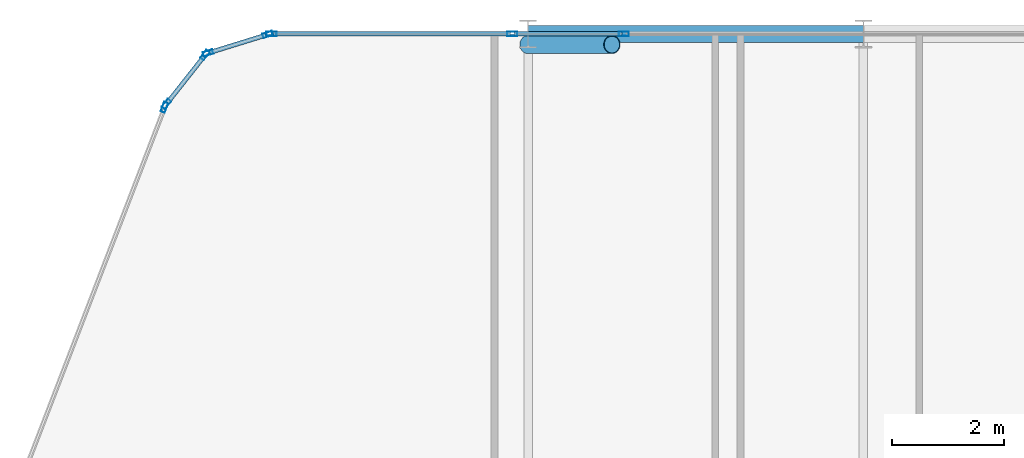
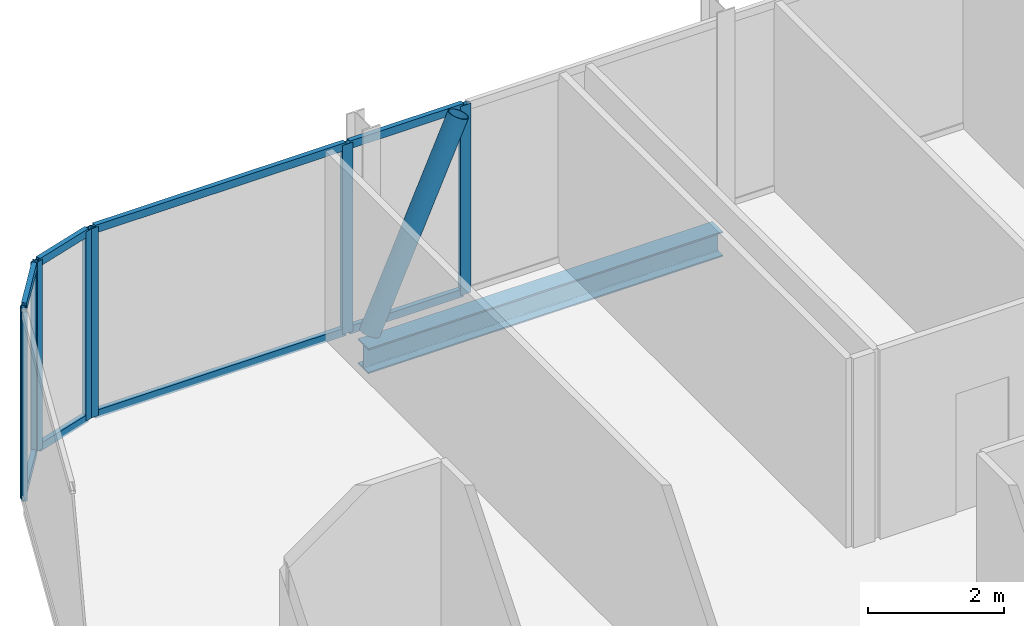
# One storey, part 17 of 32: 17 members, 1 beam, 5 elements without a shape of their own.
"""IFC4 building model written with IfcOpenShell, lengths in metres."""

from ifc_helpers import new_model, si_unit, direction, frame, origin, origin_2d, place, context, subcontext, project, spatial, hollow_rectangle, hollow_circle, i_section, extrude, material, layer, layer_set, material_profile, profile_set, type_object, element, aggregate, save


model = new_model("IFC4")

# Units and contexts
model_context = context("Model", 3, precision=1e-05, world=origin(), true_north=direction((0.0, 1.0)))
body_context = subcontext(model_context, "Body", "Model", "MODEL_VIEW")
ifc_project = project(units=[si_unit("LENGTHUNIT", "METRE"), si_unit("AREAUNIT", "SQUARE_METRE"), si_unit("VOLUMEUNIT", "CUBIC_METRE"), si_unit("PLANEANGLEUNIT", "RADIAN"), si_unit("MASSUNIT", "GRAM", prefix="KILO")], contexts=[model_context])

# Site, building, storey
site_placement = place(None, origin())
site = spatial("IfcSite", under=ifc_project, at=site_placement, CompositionType="ELEMENT")
building_placement = place(site_placement, origin())
building = spatial("IfcBuilding", under=site, at=building_placement, Name="Keshet Zoharim Tower", CompositionType="ELEMENT")
storey_placement = place(building_placement, frame((0.0, 0.0, 137.199951171875)))
storey = spatial("IfcBuildingStorey", under=building, at=storey_placement, Name="L33", CompositionType="ELEMENT", Elevation=137.199951171875)

# Beam
ifc_material_1 = material(Name="Steel S355", Category="steel")
ifc_material_profile_1 = material_profile(ifc_material_1, i_section(OverallWidth=0.300048828125, OverallDepth=0.449951171875, WebThickness=0.013916015625, FlangeThickness=0.02587890625, FilletRadius=0.027099609375, at=origin_2d()), Name="HEB450")
ifc_profile_set_1 = profile_set([ifc_material_profile_1], Name="Steel S355")
beam_type = type_object("IfcBeamType", Name="BM-WEB-HB450", PredefinedType="BEAM", material=ifc_profile_set_1)
beam_placement = place(storey_placement, frame((21.0, 53.89990234375, -0.5400390625), z_axis=(1.0, 0.0, 0.0), x_axis=(0.0, 1.0, 0.0)))
element("IfcBeam", 1, at=beam_placement, inside=storey, type_object=beam_type, Name="L33 Primary Girder X-020", PredefinedType="BEAM", context=body_context, shape_type="SweptSolid", body=[
    extrude(i_section(OverallWidth=0.300048828125, OverallDepth=0.449951171875, WebThickness=0.013916015625, FlangeThickness=0.02587890625, FilletRadius=0.027099609375, at=origin_2d()), origin(), (0.0, 0.0, 1.0), 6.0),
])

# Curtain wall, member
ifc_material_2 = material(Name="Aluminium 6063-T6", Category="aluminium")
ifc_layer = layer(ifc_material_2, 0.159912109375)
ifc_layer_set = layer_set([ifc_layer], Name="Aluminium 6063-T6")
curtain_wall_type = type_object("IfcCurtainWallType", Name="CW-SYS-03", PredefinedType="NOTDEFINED", material=ifc_layer_set)
curtain_wall_1_placement = place(storey_placement, origin())
curtain_wall_1 = element("IfcCurtainWall", 2, at=curtain_wall_1_placement, inside=storey, type_object=curtain_wall_type, Name="L33 Unitised Curtain Wall 10", PredefinedType="NOTDEFINED")
ifc_material_profile_2 = material_profile(ifc_material_2, hollow_rectangle(XDim=0.080078125, YDim=0.179931640625, WallThickness=0.00439453125, at=origin_2d()), Name="MUL-80x180")
ifc_profile_set_2 = profile_set([ifc_material_profile_2], Name="Aluminium 6063-T6")
member_type_1 = type_object("IfcMemberType", Name="CWM-M18", PredefinedType="MULLION", material=ifc_profile_set_2)
member_1_placement = place(storey_placement, frame((14.494384765625, 52.58544921875, 0.0), z_axis=(0.0, 0.0, 1.0), x_axis=(-0.933341404361, 0.358990003907, 0.0)))
member_1 = element("IfcMember", 3, at=member_1_placement, type_object=member_type_1, Name="CW-03 mullion 4", PredefinedType="MULLION", context=body_context, shape_type="SweptSolid", body=[
    extrude(hollow_rectangle(XDim=0.080078125, YDim=0.179931640625, WallThickness=0.00439453125, at=origin_2d()), origin(), (0.0, 0.0, 1.0), 3.385009765625),
])
aggregate(curtain_wall_1, [member_1])

# Curtain wall, members
curtain_wall_2_placement = place(storey_placement, origin())
curtain_wall_2 = element("IfcCurtainWall", 4, at=curtain_wall_2_placement, inside=storey, type_object=curtain_wall_type, Name="L33 Unitised Curtain Wall 11", PredefinedType="NOTDEFINED")
member_2_placement = place(storey_placement, frame((14.528564453125, 52.6455078125, 0.0), z_axis=(0.0, 0.0, 1.0), x_axis=(-0.785292825205, 0.619124525989, 0.0)))
member_2 = element("IfcMember", 5, at=member_2_placement, type_object=member_type_1, Name="CW-03 mullion 1", PredefinedType="MULLION", context=body_context, shape_type="SweptSolid", body=[
    extrude(hollow_rectangle(XDim=0.080078125, YDim=0.179931640625, WallThickness=0.00439453125, at=origin_2d()), origin(), (0.0, 0.0, 1.0), 3.385009765625),
])
member_3_placement = place(storey_placement, frame((15.21923828125, 53.521484375, 0.0), z_axis=(0.0, 0.0, 1.0), x_axis=(-0.785292825205, 0.619124525989, 0.0)))
member_3 = element("IfcMember", 6, at=member_3_placement, type_object=member_type_1, Name="CW-03 mullion 2", PredefinedType="MULLION", context=body_context, shape_type="SweptSolid", body=[
    extrude(hollow_rectangle(XDim=0.080078125, YDim=0.179931640625, WallThickness=0.00439453125, at=origin_2d()), origin(), (0.0, 0.0, 1.0), 3.385009765625),
])

curtain_wall_3_placement = place(storey_placement, origin())
curtain_wall_3 = element("IfcCurtainWall", 7, at=curtain_wall_3_placement, inside=storey, type_object=curtain_wall_type, Name="L33 Unitised Curtain Wall 12", PredefinedType="NOTDEFINED")
member_4_placement = place(storey_placement, frame((15.2744140625, 53.559326171875, 0.0), z_axis=(0.0, 0.0, 1.0), x_axis=(-0.295921857984, 0.955212151288, 0.0)))
member_4 = element("IfcMember", 8, at=member_4_placement, type_object=member_type_1, Name="CW-03 mullion 1", PredefinedType="MULLION", context=body_context, shape_type="SweptSolid", body=[
    extrude(hollow_rectangle(XDim=0.080078125, YDim=0.179931640625, WallThickness=0.00439453125, at=origin_2d()), origin(), (0.0, 0.0, 1.0), 3.385009765625),
])
member_5_placement = place(storey_placement, frame((16.340576171875, 53.8896484375, 0.0), z_axis=(0.0, 0.0, 1.0), x_axis=(-0.295921857984, 0.955212151288, 0.0)))
member_5 = element("IfcMember", 9, at=member_5_placement, type_object=member_type_1, Name="CW-03 mullion 2", PredefinedType="MULLION", context=body_context, shape_type="SweptSolid", body=[
    extrude(hollow_rectangle(XDim=0.080078125, YDim=0.179931640625, WallThickness=0.00439453125, at=origin_2d()), origin(), (0.0, 0.0, 1.0), 3.385009765625),
])

curtain_wall_4_placement = place(storey_placement, origin())
curtain_wall_4 = element("IfcCurtainWall", 10, at=curtain_wall_4_placement, inside=storey, type_object=curtain_wall_type, Name="L33 Unitised Curtain Wall 13", PredefinedType="NOTDEFINED")
member_6_placement = place(storey_placement, frame((16.408935546875, 53.89990234375, 0.0), z_axis=(0.0, 0.0, 1.0), x_axis=(0.0, 1.0, 0.0)))
member_6 = element("IfcMember", 11, at=member_6_placement, type_object=member_type_1, Name="CW-03 mullion 1", PredefinedType="MULLION", context=body_context, shape_type="SweptSolid", body=[
    extrude(hollow_rectangle(XDim=0.080078125, YDim=0.179931640625, WallThickness=0.00439453125, at=origin_2d()), origin(), (0.0, 0.0, 1.0), 3.385009765625),
])
member_7_placement = place(storey_placement, frame((20.716796875, 53.89990234375, 0.0), z_axis=(0.0, 0.0, 1.0), x_axis=(0.0, 1.0, 0.0)))
member_7 = element("IfcMember", 12, at=member_7_placement, type_object=member_type_1, Name="CW-03 mullion 2", PredefinedType="MULLION", context=body_context, shape_type="SweptSolid", body=[
    extrude(hollow_rectangle(XDim=0.080078125, YDim=0.179931640625, WallThickness=0.00439453125, at=origin_2d()), origin(), (0.0, 0.0, 1.0), 3.385009765625),
])

# Curtain wall, member
curtain_wall_5_placement = place(storey_placement, origin())
curtain_wall_5 = element("IfcCurtainWall", 13, at=curtain_wall_5_placement, inside=storey, type_object=curtain_wall_type, Name="L33 Unitised Curtain Wall 13 Part 2", PredefinedType="NOTDEFINED")
member_8_placement = place(storey_placement, frame((22.713134765625, 53.89990234375, 0.0), z_axis=(0.0, 0.0, 1.0), x_axis=(0.0, 1.0, 0.0)))
member_8 = element("IfcMember", 14, at=member_8_placement, type_object=member_type_1, Name="CW-03 mullion 2", PredefinedType="MULLION", context=body_context, shape_type="SweptSolid", body=[
    extrude(hollow_rectangle(XDim=0.080078125, YDim=0.179931640625, WallThickness=0.00439453125, at=origin_2d()), origin(), (0.0, 0.0, 1.0), 3.385009765625),
])

# Member
ifc_material_profile_3 = material_profile(ifc_material_2, hollow_rectangle(XDim=0.080078125, YDim=0.139892578125, WallThickness=0.00390625, at=origin_2d()), Name="TRN-80x140")
ifc_profile_set_3 = profile_set([ifc_material_profile_3], Name="Aluminium 6063-T6")
member_type_2 = type_object("IfcMemberType", Name="CWT-T14", PredefinedType="USERDEFINED", material=ifc_profile_set_3)
member_9_placement = place(storey_placement, frame((14.55029296875, 52.6728515625, 0.03515625), z_axis=(0.619099165969, 0.78531281837, 0.0), x_axis=(-0.78531281837, 0.619099165969, 0.0)))
member_9 = element("IfcMember", 15, at=member_9_placement, type_object=member_type_2, Name="CW-03 transom 1.1", ObjectType="TRANSOM", PredefinedType="USERDEFINED", context=body_context, shape_type="SweptSolid", body=[
    extrude(hollow_rectangle(XDim=0.080078125, YDim=0.139892578125, WallThickness=0.00390625, at=origin_2d()), origin(), (0.0, 0.0, 1.0), 1.0458984375),
])

member_10_placement = place(storey_placement, frame((14.55029296875, 52.6728515625, 3.35009765625), z_axis=(0.619099165969, 0.78531281837, 0.0), x_axis=(-0.78531281837, 0.619099165969, 0.0)))
member_10 = element("IfcMember", 16, at=member_10_placement, type_object=member_type_2, Name="CW-03 transom 1.2", ObjectType="TRANSOM", PredefinedType="USERDEFINED", context=body_context, shape_type="SweptSolid", body=[
    extrude(hollow_rectangle(XDim=0.080078125, YDim=0.139892578125, WallThickness=0.00390625, at=origin_2d()), origin(), (0.0, 0.0, 1.0), 1.0458984375),
])

aggregate(curtain_wall_2, [member_2, member_3, member_9, member_10])

member_11_placement = place(storey_placement, frame((15.307861328125, 53.56982421875, 0.03515625), z_axis=(0.955212093062, 0.295922045933, 0.0), x_axis=(-0.295922045933, 0.955212093062, 0.0)))
member_11 = element("IfcMember", 17, at=member_11_placement, type_object=member_type_2, Name="CW-03 transom 1.1", ObjectType="TRANSOM", PredefinedType="USERDEFINED", context=body_context, shape_type="SweptSolid", body=[
    extrude(hollow_rectangle(XDim=0.080078125, YDim=0.139892578125, WallThickness=0.00390625, at=origin_2d()), origin(), (0.0, 0.0, 1.0), 1.046142578125),
])

member_12_placement = place(storey_placement, frame((15.307861328125, 53.56982421875, 3.35009765625), z_axis=(0.955212093062, 0.295922045933, 0.0), x_axis=(-0.295922045933, 0.955212093062, 0.0)))
member_12 = element("IfcMember", 18, at=member_12_placement, type_object=member_type_2, Name="CW-03 transom 1.2", ObjectType="TRANSOM", PredefinedType="USERDEFINED", context=body_context, shape_type="SweptSolid", body=[
    extrude(hollow_rectangle(XDim=0.080078125, YDim=0.139892578125, WallThickness=0.00390625, at=origin_2d()), origin(), (0.0, 0.0, 1.0), 1.046142578125),
])

aggregate(curtain_wall_3, [member_4, member_5, member_11, member_12])

member_13_placement = place(storey_placement, frame((16.444091796875, 53.89990234375, 0.03515625), z_axis=(1.0, 0.0, 0.0), x_axis=(0.0, 1.0, 0.0)))
member_13 = element("IfcMember", 19, at=member_13_placement, type_object=member_type_2, Name="CW-03 transom 1.1", ObjectType="TRANSOM", PredefinedType="USERDEFINED", context=body_context, shape_type="SweptSolid", body=[
    extrude(hollow_rectangle(XDim=0.080078125, YDim=0.139892578125, WallThickness=0.00390625, at=origin_2d()), origin(), (0.0, 0.0, 1.0), 4.23779296875),
])

member_14_placement = place(storey_placement, frame((16.444091796875, 53.89990234375, 3.35009765625), z_axis=(1.0, 0.0, 0.0), x_axis=(0.0, 1.0, 0.0)))
member_14 = element("IfcMember", 20, at=member_14_placement, type_object=member_type_2, Name="CW-03 transom 1.2", ObjectType="TRANSOM", PredefinedType="USERDEFINED", context=body_context, shape_type="SweptSolid", body=[
    extrude(hollow_rectangle(XDim=0.080078125, YDim=0.139892578125, WallThickness=0.00390625, at=origin_2d()), origin(), (0.0, 0.0, 1.0), 4.23779296875),
])

aggregate(curtain_wall_4, [member_6, member_7, member_13, member_14])

member_15_placement = place(storey_placement, frame((20.751953125, 53.89990234375, 0.03515625), z_axis=(1.0, 0.0, 0.0), x_axis=(0.0, 1.0, 0.0)))
member_15 = element("IfcMember", 21, at=member_15_placement, type_object=member_type_2, Name="CW-03 transom 1.1", ObjectType="TRANSOM", PredefinedType="USERDEFINED", context=body_context, shape_type="SweptSolid", body=[
    extrude(hollow_rectangle(XDim=0.080078125, YDim=0.139892578125, WallThickness=0.00390625, at=origin_2d()), origin(), (0.0, 0.0, 1.0), 1.926025390625),
])

member_16_placement = place(storey_placement, frame((20.751953125, 53.89990234375, 3.35009765625), z_axis=(1.0, 0.0, 0.0), x_axis=(0.0, 1.0, 0.0)))
member_16 = element("IfcMember", 22, at=member_16_placement, type_object=member_type_2, Name="CW-03 transom 1.2", ObjectType="TRANSOM", PredefinedType="USERDEFINED", context=body_context, shape_type="SweptSolid", body=[
    extrude(hollow_rectangle(XDim=0.080078125, YDim=0.139892578125, WallThickness=0.00390625, at=origin_2d()), origin(), (0.0, 0.0, 1.0), 1.926025390625),
])

aggregate(curtain_wall_5, [member_8, member_15, member_16])

ifc_material_profile_4 = material_profile(ifc_material_1, hollow_circle(Radius=0.161865234375, WallThickness=0.012451171875, at=origin_2d()), Name="CHS323x12.5")
ifc_profile_set_4 = profile_set([ifc_material_profile_4], Name="Steel S355")
member_type_3 = type_object("IfcMemberType", Name="MB-BR-C323", PredefinedType="BRACE", material=ifc_profile_set_4)
member_17_placement = place(storey_placement, frame((21.0, 53.7099609375, 0.0), z_axis=(0.405134846829, 0.0, 0.91425694194), x_axis=(0.0, 1.0, 0.0)))
element("IfcMember", 23, at=member_17_placement, inside=storey, type_object=member_type_3, Name="L33 Perimeter Tube Brace 02", PredefinedType="BRACE", context=body_context, shape_type="SweptSolid", body=[
    extrude(hollow_circle(Radius=0.161865234375, WallThickness=0.012451171875, at=origin_2d()), origin(), (0.0, 0.0, 1.0), 3.702392578125),
])

save(model, "model.ifc")
